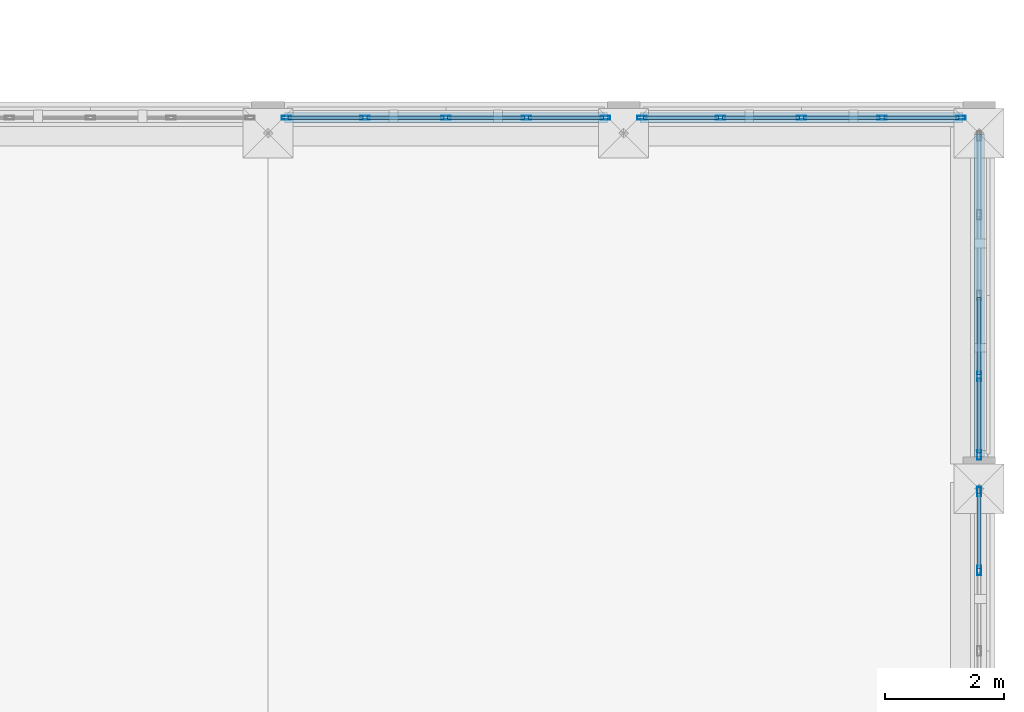
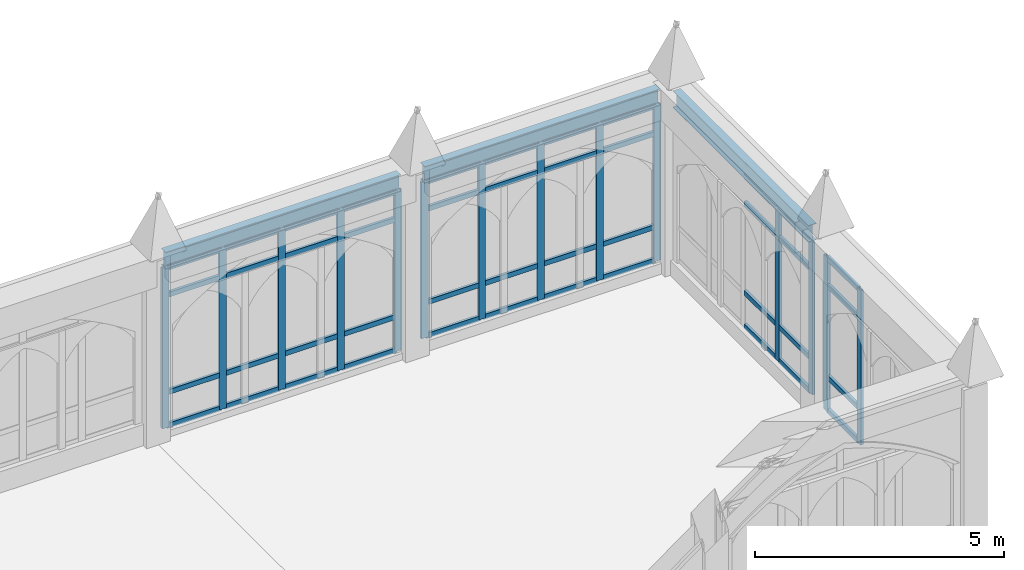
# One storey, part 58 of 108: 58 members, 3 beams, 4 elements without a shape of their own.
"""IFC4 building model written with IfcOpenShell, lengths in metres."""

from ifc_helpers import new_model, si_unit, direction, frame, origin, origin_2d, place, context, subcontext, project, spatial, hollow_rectangle, i_section, extrude, material, layer, layer_set, material_profile, profile_set, type_object, element, aggregate, save


model = new_model("IFC4")

# Units and contexts
model_context = context("Model", 3, precision=1e-05, world=origin(), true_north=direction((0.0, 1.0)))
body_context = subcontext(model_context, "Body", "Model", "MODEL_VIEW")
ifc_project = project(units=[si_unit("LENGTHUNIT", "METRE"), si_unit("AREAUNIT", "SQUARE_METRE"), si_unit("VOLUMEUNIT", "CUBIC_METRE"), si_unit("PLANEANGLEUNIT", "RADIAN"), si_unit("MASSUNIT", "GRAM", prefix="KILO")], contexts=[model_context])

# Site, building, storey
site_placement = place(None, origin())
site = spatial("IfcSite", under=ifc_project, at=site_placement, CompositionType="ELEMENT")
building_placement = place(site_placement, origin())
building = spatial("IfcBuilding", under=site, at=building_placement, Name="Cumevento Cable Car Station", CompositionType="ELEMENT")
storey_placement = place(building_placement, frame((0.0, 0.0, 13.5)))
storey = spatial("IfcBuildingStorey", under=building, at=storey_placement, Name="L04", CompositionType="ELEMENT", Elevation=13.5)

# Curtain wall, members
ifc_material_1 = material(Name="Anodised Bronze Aluminium AW-6063-T6", Category="aluminium")
ifc_layer_1 = layer(ifc_material_1, 0.2080078125)
ifc_layer_set_1 = layer_set([ifc_layer_1], Name="Anodised Bronze Aluminium AW-6063-T6")
curtain_wall_type_1 = type_object("IfcCurtainWallType", Name="Lancet Curtain Wall CW-09 1370", PredefinedType="NOTDEFINED", material=ifc_layer_set_1)
curtain_wall_1_placement = place(storey_placement, origin())
curtain_wall_1 = element("IfcCurtainWall", 1, at=curtain_wall_1_placement, inside=storey, type_object=curtain_wall_type_1, Name="Lancet Curtain Wall CW-09 L04 #184", PredefinedType="NOTDEFINED")
ifc_material_2 = material(Name="Anodised Bronze Aluminium AW-6063-T6", Category="aluminium")
ifc_material_profile_1 = material_profile(ifc_material_2, hollow_rectangle(XDim=0.06494140625, YDim=0.159912109375, WallThickness=0.00390625, at=origin_2d()), Name="ALUM65x160x4")
ifc_profile_set_1 = profile_set([ifc_material_profile_1], Name="Anodised Bronze Aluminium AW-6063-T6")
member_type_1 = type_object("IfcMemberType", Name="Curtain Mullion CWM-01 ALUM65x160x4", PredefinedType="MULLION", material=ifc_profile_set_1)
member_1_placement = place(storey_placement, frame((154.3076171875, 45.0, 0.159912109375), z_axis=(0.0, 0.0, 1.0), x_axis=(0.0, 1.0, 0.0)))
member_1 = element("IfcMember", 2, at=member_1_placement, type_object=member_type_1, Name="CW-09 mullion 1", PredefinedType="MULLION", context=body_context, shape_type="SweptSolid", body=[
    extrude(hollow_rectangle(XDim=0.06494140625, YDim=0.159912109375, WallThickness=0.00390625, at=origin_2d()), origin(), (0.0, 0.0, 1.0), 3.93310546875),
])
member_2_placement = place(storey_placement, frame((155.637451171875, 45.0, 0.159912109375), z_axis=(0.0, 0.0, 1.0), x_axis=(0.0, 1.0, 0.0)))
member_2 = element("IfcMember", 3, at=member_2_placement, type_object=member_type_1, Name="CW-09 mullion 2", PredefinedType="MULLION", context=body_context, shape_type="SweptSolid", body=[
    extrude(hollow_rectangle(XDim=0.06494140625, YDim=0.159912109375, WallThickness=0.00390625, at=origin_2d()), origin(), (0.0, 0.0, 1.0), 3.93310546875),
])
member_3_placement = place(storey_placement, frame((157.0, 45.0, 0.159912109375), z_axis=(0.0, 0.0, 1.0), x_axis=(0.0, 1.0, 0.0)))
member_3 = element("IfcMember", 4, at=member_3_placement, type_object=member_type_1, Name="CW-09 mullion 3", PredefinedType="MULLION", context=body_context, shape_type="SweptSolid", body=[
    extrude(hollow_rectangle(XDim=0.06494140625, YDim=0.159912109375, WallThickness=0.00390625, at=origin_2d()), origin(), (0.0, 0.0, 1.0), 3.93310546875),
])
member_4_placement = place(storey_placement, frame((158.362548828125, 45.0, 0.159912109375), z_axis=(0.0, 0.0, 1.0), x_axis=(0.0, 1.0, 0.0)))
member_4 = element("IfcMember", 5, at=member_4_placement, type_object=member_type_1, Name="CW-09 mullion 4", PredefinedType="MULLION", context=body_context, shape_type="SweptSolid", body=[
    extrude(hollow_rectangle(XDim=0.06494140625, YDim=0.159912109375, WallThickness=0.00390625, at=origin_2d()), origin(), (0.0, 0.0, 1.0), 3.93310546875),
])
member_5_placement = place(storey_placement, frame((159.6923828125, 45.0, 0.159912109375), z_axis=(0.0, 0.0, 1.0), x_axis=(0.0, 1.0, 0.0)))
member_5 = element("IfcMember", 6, at=member_5_placement, type_object=member_type_1, Name="CW-09 mullion 5", PredefinedType="MULLION", context=body_context, shape_type="SweptSolid", body=[
    extrude(hollow_rectangle(XDim=0.06494140625, YDim=0.159912109375, WallThickness=0.00390625, at=origin_2d()), origin(), (0.0, 0.0, 1.0), 3.93310546875),
])

ifc_material_3 = material(Name="Anodised Bronze Aluminium AW-6063-T6", Category="aluminium")
ifc_layer_2 = layer(ifc_material_3, 0.219970703125)
ifc_layer_set_2 = layer_set([ifc_layer_2], Name="Anodised Bronze Aluminium AW-6063-T6")
curtain_wall_type_2 = type_object("IfcCurtainWallType", Name="Lancet Curtain Wall CW-11 1450", PredefinedType="NOTDEFINED", material=ifc_layer_set_2)
curtain_wall_2_placement = place(storey_placement, origin())
curtain_wall_2 = element("IfcCurtainWall", 7, at=curtain_wall_2_placement, inside=storey, type_object=curtain_wall_type_2, Name="Lancet Curtain Wall CW-11 L04 #186", PredefinedType="NOTDEFINED")
member_6_placement = place(storey_placement, frame((160.3076171875, 45.0, 0.260009765625), z_axis=(0.0, 0.0, 1.0), x_axis=(0.0, 1.0, 0.0)))
member_6 = element("IfcMember", 8, at=member_6_placement, type_object=member_type_1, Name="CW-11 mullion 1", PredefinedType="MULLION", context=body_context, shape_type="SweptSolid", body=[
    extrude(hollow_rectangle(XDim=0.06494140625, YDim=0.159912109375, WallThickness=0.00390625, at=origin_2d()), origin(), (0.0, 0.0, 1.0), 3.8330078125),
])
member_7_placement = place(storey_placement, frame((161.637451171875, 45.0, 0.260009765625), z_axis=(0.0, 0.0, 1.0), x_axis=(0.0, 1.0, 0.0)))
member_7 = element("IfcMember", 9, at=member_7_placement, type_object=member_type_1, Name="CW-11 mullion 2", PredefinedType="MULLION", context=body_context, shape_type="SweptSolid", body=[
    extrude(hollow_rectangle(XDim=0.06494140625, YDim=0.159912109375, WallThickness=0.00390625, at=origin_2d()), origin(), (0.0, 0.0, 1.0), 3.8330078125),
])
member_8_placement = place(storey_placement, frame((163.0, 45.0, 0.260009765625), z_axis=(0.0, 0.0, 1.0), x_axis=(0.0, 1.0, 0.0)))
member_8 = element("IfcMember", 10, at=member_8_placement, type_object=member_type_1, Name="CW-11 mullion 3", PredefinedType="MULLION", context=body_context, shape_type="SweptSolid", body=[
    extrude(hollow_rectangle(XDim=0.06494140625, YDim=0.159912109375, WallThickness=0.00390625, at=origin_2d()), origin(), (0.0, 0.0, 1.0), 3.8330078125),
])
member_9_placement = place(storey_placement, frame((164.362548828125, 45.0, 0.260009765625), z_axis=(0.0, 0.0, 1.0), x_axis=(0.0, 1.0, 0.0)))
member_9 = element("IfcMember", 11, at=member_9_placement, type_object=member_type_1, Name="CW-11 mullion 4", PredefinedType="MULLION", context=body_context, shape_type="SweptSolid", body=[
    extrude(hollow_rectangle(XDim=0.06494140625, YDim=0.159912109375, WallThickness=0.00390625, at=origin_2d()), origin(), (0.0, 0.0, 1.0), 3.8330078125),
])
member_10_placement = place(storey_placement, frame((165.6923828125, 45.0, 0.260009765625), z_axis=(0.0, 0.0, 1.0), x_axis=(0.0, 1.0, 0.0)))
member_10 = element("IfcMember", 12, at=member_10_placement, type_object=member_type_1, Name="CW-11 mullion 5", PredefinedType="MULLION", context=body_context, shape_type="SweptSolid", body=[
    extrude(hollow_rectangle(XDim=0.06494140625, YDim=0.159912109375, WallThickness=0.00390625, at=origin_2d()), origin(), (0.0, 0.0, 1.0), 3.8330078125),
])

ifc_material_4 = material(Name="Anodised Bronze Aluminium AW-6063-T6", Category="aluminium")
ifc_layer_3 = layer(ifc_material_4, 0.22607421875)
ifc_layer_set_3 = layer_set([ifc_layer_3], Name="Anodised Bronze Aluminium AW-6063-T6")
curtain_wall_type_3 = type_object("IfcCurtainWallType", Name="Lancet Curtain Wall CW-12 1490", PredefinedType="NOTDEFINED", material=ifc_layer_set_3)
curtain_wall_3_placement = place(storey_placement, origin())
curtain_wall_3 = element("IfcCurtainWall", 13, at=curtain_wall_3_placement, inside=storey, type_object=curtain_wall_type_3, Name="Lancet Curtain Wall CW-12 L04 #187", PredefinedType="NOTDEFINED")
member_11_placement = place(storey_placement, frame((166.0, 38.6923828125, 0.31005859375), z_axis=(0.0, 0.0, 1.0), x_axis=(1.0, 0.0, 0.0)))
member_11 = element("IfcMember", 14, at=member_11_placement, type_object=member_type_1, Name="CW-12 mullion 1", PredefinedType="MULLION", context=body_context, shape_type="SweptSolid", body=[
    extrude(hollow_rectangle(XDim=0.06494140625, YDim=0.159912109375, WallThickness=0.00390625, at=origin_2d()), origin(), (0.0, 0.0, 1.0), 3.782958984375),
])
member_12_placement = place(storey_placement, frame((166.0, 37.362548828125, 0.31005859375), z_axis=(0.0, 0.0, 1.0), x_axis=(1.0, 0.0, 0.0)))
member_12 = element("IfcMember", 15, at=member_12_placement, type_object=member_type_1, Name="CW-12 mullion 2", PredefinedType="MULLION", context=body_context, shape_type="SweptSolid", body=[
    extrude(hollow_rectangle(XDim=0.06494140625, YDim=0.159912109375, WallThickness=0.00390625, at=origin_2d()), origin(), (0.0, 0.0, 1.0), 3.782958984375),
])

ifc_material_5 = material(Name="Anodised Bronze Aluminium AW-6063-T6", Category="aluminium")
ifc_layer_4 = layer(ifc_material_5, 0.23193359375)
ifc_layer_set_4 = layer_set([ifc_layer_4], Name="Anodised Bronze Aluminium AW-6063-T6")
curtain_wall_type_4 = type_object("IfcCurtainWallType", Name="Lancet Curtain Wall CW-13 1530", PredefinedType="NOTDEFINED", material=ifc_layer_set_4)
curtain_wall_4_placement = place(storey_placement, origin())
curtain_wall_4 = element("IfcCurtainWall", 16, at=curtain_wall_4_placement, inside=storey, type_object=curtain_wall_type_4, Name="Lancet Curtain Wall CW-13 L04 #188", PredefinedType="NOTDEFINED")
member_13_placement = place(storey_placement, frame((166.0, 40.637451171875, 0.360107421875), z_axis=(0.0, 0.0, 1.0), x_axis=(1.0, 0.0, 0.0)))
member_13 = element("IfcMember", 17, at=member_13_placement, type_object=member_type_1, Name="CW-13 mullion 4", PredefinedType="MULLION", context=body_context, shape_type="SweptSolid", body=[
    extrude(hollow_rectangle(XDim=0.06494140625, YDim=0.159912109375, WallThickness=0.00390625, at=origin_2d()), origin(), (0.0, 0.0, 1.0), 3.73291015625),
])
member_14_placement = place(storey_placement, frame((166.0, 39.3076171875, 0.360107421875), z_axis=(0.0, 0.0, 1.0), x_axis=(1.0, 0.0, 0.0)))
member_14 = element("IfcMember", 18, at=member_14_placement, type_object=member_type_1, Name="CW-13 mullion 5", PredefinedType="MULLION", context=body_context, shape_type="SweptSolid", body=[
    extrude(hollow_rectangle(XDim=0.06494140625, YDim=0.159912109375, WallThickness=0.00390625, at=origin_2d()), origin(), (0.0, 0.0, 1.0), 3.73291015625),
])

# Member
ifc_material_6 = material(Name="Anodised Bronze Aluminium AW-6063-T6", Category="aluminium")
ifc_material_profile_2 = material_profile(ifc_material_6, hollow_rectangle(XDim=0.06494140625, YDim=0.1201171875, WallThickness=0.00390625, at=origin_2d()), Name="ALUT65x120x4")
ifc_profile_set_2 = profile_set([ifc_material_profile_2], Name="Anodised Bronze Aluminium AW-6063-T6")
member_type_2 = type_object("IfcMemberType", Name="Curtain Transom CWT-01 ALUT65x120x4", PredefinedType="USERDEFINED", material=ifc_profile_set_2)
member_15_placement = place(storey_placement, frame((154.340087890625, 45.0, 0.1923828125), z_axis=(1.0, 0.0, 0.0), x_axis=(0.0, 1.0, 0.0)))
member_15 = element("IfcMember", 19, at=member_15_placement, type_object=member_type_2, Name="CW-09 transom 1.1", ObjectType="TRANSOM", PredefinedType="USERDEFINED", context=body_context, shape_type="SweptSolid", body=[
    extrude(hollow_rectangle(XDim=0.06494140625, YDim=0.1201171875, WallThickness=0.00390625, at=origin_2d()), origin(), (0.0, 0.0, 1.0), 1.264892578125),
])

member_16_placement = place(storey_placement, frame((154.340087890625, 45.0, 1.010009765625), z_axis=(1.0, 0.0, 0.0), x_axis=(0.0, 1.0, 0.0)))
member_16 = element("IfcMember", 20, at=member_16_placement, type_object=member_type_2, Name="CW-09 transom 1.2", ObjectType="TRANSOM", PredefinedType="USERDEFINED", context=body_context, shape_type="SweptSolid", body=[
    extrude(hollow_rectangle(XDim=0.06494140625, YDim=0.1201171875, WallThickness=0.00390625, at=origin_2d()), origin(), (0.0, 0.0, 1.0), 1.264892578125),
])

member_17_placement = place(storey_placement, frame((154.340087890625, 45.0, 3.39306640625), z_axis=(1.0, 0.0, 0.0), x_axis=(0.0, 1.0, 0.0)))
member_17 = element("IfcMember", 21, at=member_17_placement, type_object=member_type_2, Name="CW-09 transom 1.3", ObjectType="TRANSOM", PredefinedType="USERDEFINED", context=body_context, shape_type="SweptSolid", body=[
    extrude(hollow_rectangle(XDim=0.06494140625, YDim=0.1201171875, WallThickness=0.00390625, at=origin_2d()), origin(), (0.0, 0.0, 1.0), 1.264892578125),
])

member_18_placement = place(storey_placement, frame((154.340087890625, 45.0, 4.060546875), z_axis=(1.0, 0.0, 0.0), x_axis=(0.0, 1.0, 0.0)))
member_18 = element("IfcMember", 22, at=member_18_placement, type_object=member_type_2, Name="CW-09 transom 1.4", ObjectType="TRANSOM", PredefinedType="USERDEFINED", context=body_context, shape_type="SweptSolid", body=[
    extrude(hollow_rectangle(XDim=0.06494140625, YDim=0.1201171875, WallThickness=0.00390625, at=origin_2d()), origin(), (0.0, 0.0, 1.0), 1.264892578125),
])

member_19_placement = place(storey_placement, frame((155.669921875, 45.0, 0.1923828125), z_axis=(1.0, 0.0, 0.0), x_axis=(0.0, 1.0, 0.0)))
member_19 = element("IfcMember", 23, at=member_19_placement, type_object=member_type_2, Name="CW-09 transom 2.1", ObjectType="TRANSOM", PredefinedType="USERDEFINED", context=body_context, shape_type="SweptSolid", body=[
    extrude(hollow_rectangle(XDim=0.06494140625, YDim=0.1201171875, WallThickness=0.00390625, at=origin_2d()), origin(), (0.0, 0.0, 1.0), 1.297607421875),
])

member_20_placement = place(storey_placement, frame((155.669921875, 45.0, 1.010009765625), z_axis=(1.0, 0.0, 0.0), x_axis=(0.0, 1.0, 0.0)))
member_20 = element("IfcMember", 24, at=member_20_placement, type_object=member_type_2, Name="CW-09 transom 2.2", ObjectType="TRANSOM", PredefinedType="USERDEFINED", context=body_context, shape_type="SweptSolid", body=[
    extrude(hollow_rectangle(XDim=0.06494140625, YDim=0.1201171875, WallThickness=0.00390625, at=origin_2d()), origin(), (0.0, 0.0, 1.0), 1.297607421875),
])

member_21_placement = place(storey_placement, frame((155.669921875, 45.0, 3.39306640625), z_axis=(1.0, 0.0, 0.0), x_axis=(0.0, 1.0, 0.0)))
member_21 = element("IfcMember", 25, at=member_21_placement, type_object=member_type_2, Name="CW-09 transom 2.3", ObjectType="TRANSOM", PredefinedType="USERDEFINED", context=body_context, shape_type="SweptSolid", body=[
    extrude(hollow_rectangle(XDim=0.06494140625, YDim=0.1201171875, WallThickness=0.00390625, at=origin_2d()), origin(), (0.0, 0.0, 1.0), 1.297607421875),
])

member_22_placement = place(storey_placement, frame((155.669921875, 45.0, 4.060546875), z_axis=(1.0, 0.0, 0.0), x_axis=(0.0, 1.0, 0.0)))
member_22 = element("IfcMember", 26, at=member_22_placement, type_object=member_type_2, Name="CW-09 transom 2.4", ObjectType="TRANSOM", PredefinedType="USERDEFINED", context=body_context, shape_type="SweptSolid", body=[
    extrude(hollow_rectangle(XDim=0.06494140625, YDim=0.1201171875, WallThickness=0.00390625, at=origin_2d()), origin(), (0.0, 0.0, 1.0), 1.297607421875),
])

member_23_placement = place(storey_placement, frame((157.032470703125, 45.0, 0.1923828125), z_axis=(1.0, 0.0, 0.0), x_axis=(0.0, 1.0, 0.0)))
member_23 = element("IfcMember", 27, at=member_23_placement, type_object=member_type_2, Name="CW-09 transom 3.1", ObjectType="TRANSOM", PredefinedType="USERDEFINED", context=body_context, shape_type="SweptSolid", body=[
    extrude(hollow_rectangle(XDim=0.06494140625, YDim=0.1201171875, WallThickness=0.00390625, at=origin_2d()), origin(), (0.0, 0.0, 1.0), 1.297607421875),
])

member_24_placement = place(storey_placement, frame((157.032470703125, 45.0, 1.010009765625), z_axis=(1.0, 0.0, 0.0), x_axis=(0.0, 1.0, 0.0)))
member_24 = element("IfcMember", 28, at=member_24_placement, type_object=member_type_2, Name="CW-09 transom 3.2", ObjectType="TRANSOM", PredefinedType="USERDEFINED", context=body_context, shape_type="SweptSolid", body=[
    extrude(hollow_rectangle(XDim=0.06494140625, YDim=0.1201171875, WallThickness=0.00390625, at=origin_2d()), origin(), (0.0, 0.0, 1.0), 1.297607421875),
])

member_25_placement = place(storey_placement, frame((157.032470703125, 45.0, 3.39306640625), z_axis=(1.0, 0.0, 0.0), x_axis=(0.0, 1.0, 0.0)))
member_25 = element("IfcMember", 29, at=member_25_placement, type_object=member_type_2, Name="CW-09 transom 3.3", ObjectType="TRANSOM", PredefinedType="USERDEFINED", context=body_context, shape_type="SweptSolid", body=[
    extrude(hollow_rectangle(XDim=0.06494140625, YDim=0.1201171875, WallThickness=0.00390625, at=origin_2d()), origin(), (0.0, 0.0, 1.0), 1.297607421875),
])

member_26_placement = place(storey_placement, frame((157.032470703125, 45.0, 4.060546875), z_axis=(1.0, 0.0, 0.0), x_axis=(0.0, 1.0, 0.0)))
member_26 = element("IfcMember", 30, at=member_26_placement, type_object=member_type_2, Name="CW-09 transom 3.4", ObjectType="TRANSOM", PredefinedType="USERDEFINED", context=body_context, shape_type="SweptSolid", body=[
    extrude(hollow_rectangle(XDim=0.06494140625, YDim=0.1201171875, WallThickness=0.00390625, at=origin_2d()), origin(), (0.0, 0.0, 1.0), 1.297607421875),
])

member_27_placement = place(storey_placement, frame((158.39501953125, 45.0, 0.1923828125), z_axis=(1.0, 0.0, 0.0), x_axis=(0.0, 1.0, 0.0)))
member_27 = element("IfcMember", 31, at=member_27_placement, type_object=member_type_2, Name="CW-09 transom 4.1", ObjectType="TRANSOM", PredefinedType="USERDEFINED", context=body_context, shape_type="SweptSolid", body=[
    extrude(hollow_rectangle(XDim=0.06494140625, YDim=0.1201171875, WallThickness=0.00390625, at=origin_2d()), origin(), (0.0, 0.0, 1.0), 1.264892578125),
])

member_28_placement = place(storey_placement, frame((158.39501953125, 45.0, 1.010009765625), z_axis=(1.0, 0.0, 0.0), x_axis=(0.0, 1.0, 0.0)))
member_28 = element("IfcMember", 32, at=member_28_placement, type_object=member_type_2, Name="CW-09 transom 4.2", ObjectType="TRANSOM", PredefinedType="USERDEFINED", context=body_context, shape_type="SweptSolid", body=[
    extrude(hollow_rectangle(XDim=0.06494140625, YDim=0.1201171875, WallThickness=0.00390625, at=origin_2d()), origin(), (0.0, 0.0, 1.0), 1.264892578125),
])

member_29_placement = place(storey_placement, frame((158.39501953125, 45.0, 3.39306640625), z_axis=(1.0, 0.0, 0.0), x_axis=(0.0, 1.0, 0.0)))
member_29 = element("IfcMember", 33, at=member_29_placement, type_object=member_type_2, Name="CW-09 transom 4.3", ObjectType="TRANSOM", PredefinedType="USERDEFINED", context=body_context, shape_type="SweptSolid", body=[
    extrude(hollow_rectangle(XDim=0.06494140625, YDim=0.1201171875, WallThickness=0.00390625, at=origin_2d()), origin(), (0.0, 0.0, 1.0), 1.264892578125),
])

member_30_placement = place(storey_placement, frame((158.39501953125, 45.0, 4.060546875), z_axis=(1.0, 0.0, 0.0), x_axis=(0.0, 1.0, 0.0)))
member_30 = element("IfcMember", 34, at=member_30_placement, type_object=member_type_2, Name="CW-09 transom 4.4", ObjectType="TRANSOM", PredefinedType="USERDEFINED", context=body_context, shape_type="SweptSolid", body=[
    extrude(hollow_rectangle(XDim=0.06494140625, YDim=0.1201171875, WallThickness=0.00390625, at=origin_2d()), origin(), (0.0, 0.0, 1.0), 1.264892578125),
])

aggregate(curtain_wall_1, [member_1, member_2, member_3, member_4, member_5, member_15, member_16, member_17, member_18, member_19, member_20, member_21, member_22, member_23, member_24, member_25, member_26, member_27, member_28, member_29, member_30])

member_31_placement = place(storey_placement, frame((160.340087890625, 45.0, 0.29248046875), z_axis=(1.0, 0.0, 0.0), x_axis=(0.0, 1.0, 0.0)))
member_31 = element("IfcMember", 35, at=member_31_placement, type_object=member_type_2, Name="CW-11 transom 1.1", ObjectType="TRANSOM", PredefinedType="USERDEFINED", context=body_context, shape_type="SweptSolid", body=[
    extrude(hollow_rectangle(XDim=0.06494140625, YDim=0.1201171875, WallThickness=0.00390625, at=origin_2d()), origin(), (0.0, 0.0, 1.0), 1.264892578125),
])

member_32_placement = place(storey_placement, frame((160.340087890625, 45.0, 1.110107421875), z_axis=(1.0, 0.0, 0.0), x_axis=(0.0, 1.0, 0.0)))
member_32 = element("IfcMember", 36, at=member_32_placement, type_object=member_type_2, Name="CW-11 transom 1.2", ObjectType="TRANSOM", PredefinedType="USERDEFINED", context=body_context, shape_type="SweptSolid", body=[
    extrude(hollow_rectangle(XDim=0.06494140625, YDim=0.1201171875, WallThickness=0.00390625, at=origin_2d()), origin(), (0.0, 0.0, 1.0), 1.264892578125),
])

member_33_placement = place(storey_placement, frame((160.340087890625, 45.0, 3.39306640625), z_axis=(1.0, 0.0, 0.0), x_axis=(0.0, 1.0, 0.0)))
member_33 = element("IfcMember", 37, at=member_33_placement, type_object=member_type_2, Name="CW-11 transom 1.3", ObjectType="TRANSOM", PredefinedType="USERDEFINED", context=body_context, shape_type="SweptSolid", body=[
    extrude(hollow_rectangle(XDim=0.06494140625, YDim=0.1201171875, WallThickness=0.00390625, at=origin_2d()), origin(), (0.0, 0.0, 1.0), 1.264892578125),
])

member_34_placement = place(storey_placement, frame((160.340087890625, 45.0, 4.060546875), z_axis=(1.0, 0.0, 0.0), x_axis=(0.0, 1.0, 0.0)))
member_34 = element("IfcMember", 38, at=member_34_placement, type_object=member_type_2, Name="CW-11 transom 1.4", ObjectType="TRANSOM", PredefinedType="USERDEFINED", context=body_context, shape_type="SweptSolid", body=[
    extrude(hollow_rectangle(XDim=0.06494140625, YDim=0.1201171875, WallThickness=0.00390625, at=origin_2d()), origin(), (0.0, 0.0, 1.0), 1.264892578125),
])

member_35_placement = place(storey_placement, frame((161.669921875, 45.0, 0.29248046875), z_axis=(1.0, 0.0, 0.0), x_axis=(0.0, 1.0, 0.0)))
member_35 = element("IfcMember", 39, at=member_35_placement, type_object=member_type_2, Name="CW-11 transom 2.1", ObjectType="TRANSOM", PredefinedType="USERDEFINED", context=body_context, shape_type="SweptSolid", body=[
    extrude(hollow_rectangle(XDim=0.06494140625, YDim=0.1201171875, WallThickness=0.00390625, at=origin_2d()), origin(), (0.0, 0.0, 1.0), 1.297607421875),
])

member_36_placement = place(storey_placement, frame((161.669921875, 45.0, 1.110107421875), z_axis=(1.0, 0.0, 0.0), x_axis=(0.0, 1.0, 0.0)))
member_36 = element("IfcMember", 40, at=member_36_placement, type_object=member_type_2, Name="CW-11 transom 2.2", ObjectType="TRANSOM", PredefinedType="USERDEFINED", context=body_context, shape_type="SweptSolid", body=[
    extrude(hollow_rectangle(XDim=0.06494140625, YDim=0.1201171875, WallThickness=0.00390625, at=origin_2d()), origin(), (0.0, 0.0, 1.0), 1.297607421875),
])

member_37_placement = place(storey_placement, frame((161.669921875, 45.0, 3.39306640625), z_axis=(1.0, 0.0, 0.0), x_axis=(0.0, 1.0, 0.0)))
member_37 = element("IfcMember", 41, at=member_37_placement, type_object=member_type_2, Name="CW-11 transom 2.3", ObjectType="TRANSOM", PredefinedType="USERDEFINED", context=body_context, shape_type="SweptSolid", body=[
    extrude(hollow_rectangle(XDim=0.06494140625, YDim=0.1201171875, WallThickness=0.00390625, at=origin_2d()), origin(), (0.0, 0.0, 1.0), 1.297607421875),
])

member_38_placement = place(storey_placement, frame((161.669921875, 45.0, 4.060546875), z_axis=(1.0, 0.0, 0.0), x_axis=(0.0, 1.0, 0.0)))
member_38 = element("IfcMember", 42, at=member_38_placement, type_object=member_type_2, Name="CW-11 transom 2.4", ObjectType="TRANSOM", PredefinedType="USERDEFINED", context=body_context, shape_type="SweptSolid", body=[
    extrude(hollow_rectangle(XDim=0.06494140625, YDim=0.1201171875, WallThickness=0.00390625, at=origin_2d()), origin(), (0.0, 0.0, 1.0), 1.297607421875),
])

member_39_placement = place(storey_placement, frame((163.032470703125, 45.0, 0.29248046875), z_axis=(1.0, 0.0, 0.0), x_axis=(0.0, 1.0, 0.0)))
member_39 = element("IfcMember", 43, at=member_39_placement, type_object=member_type_2, Name="CW-11 transom 3.1", ObjectType="TRANSOM", PredefinedType="USERDEFINED", context=body_context, shape_type="SweptSolid", body=[
    extrude(hollow_rectangle(XDim=0.06494140625, YDim=0.1201171875, WallThickness=0.00390625, at=origin_2d()), origin(), (0.0, 0.0, 1.0), 1.297607421875),
])

member_40_placement = place(storey_placement, frame((163.032470703125, 45.0, 1.110107421875), z_axis=(1.0, 0.0, 0.0), x_axis=(0.0, 1.0, 0.0)))
member_40 = element("IfcMember", 44, at=member_40_placement, type_object=member_type_2, Name="CW-11 transom 3.2", ObjectType="TRANSOM", PredefinedType="USERDEFINED", context=body_context, shape_type="SweptSolid", body=[
    extrude(hollow_rectangle(XDim=0.06494140625, YDim=0.1201171875, WallThickness=0.00390625, at=origin_2d()), origin(), (0.0, 0.0, 1.0), 1.297607421875),
])

member_41_placement = place(storey_placement, frame((163.032470703125, 45.0, 3.39306640625), z_axis=(1.0, 0.0, 0.0), x_axis=(0.0, 1.0, 0.0)))
member_41 = element("IfcMember", 45, at=member_41_placement, type_object=member_type_2, Name="CW-11 transom 3.3", ObjectType="TRANSOM", PredefinedType="USERDEFINED", context=body_context, shape_type="SweptSolid", body=[
    extrude(hollow_rectangle(XDim=0.06494140625, YDim=0.1201171875, WallThickness=0.00390625, at=origin_2d()), origin(), (0.0, 0.0, 1.0), 1.297607421875),
])

member_42_placement = place(storey_placement, frame((163.032470703125, 45.0, 4.060546875), z_axis=(1.0, 0.0, 0.0), x_axis=(0.0, 1.0, 0.0)))
member_42 = element("IfcMember", 46, at=member_42_placement, type_object=member_type_2, Name="CW-11 transom 3.4", ObjectType="TRANSOM", PredefinedType="USERDEFINED", context=body_context, shape_type="SweptSolid", body=[
    extrude(hollow_rectangle(XDim=0.06494140625, YDim=0.1201171875, WallThickness=0.00390625, at=origin_2d()), origin(), (0.0, 0.0, 1.0), 1.297607421875),
])

member_43_placement = place(storey_placement, frame((164.39501953125, 45.0, 0.29248046875), z_axis=(1.0, 0.0, 0.0), x_axis=(0.0, 1.0, 0.0)))
member_43 = element("IfcMember", 47, at=member_43_placement, type_object=member_type_2, Name="CW-11 transom 4.1", ObjectType="TRANSOM", PredefinedType="USERDEFINED", context=body_context, shape_type="SweptSolid", body=[
    extrude(hollow_rectangle(XDim=0.06494140625, YDim=0.1201171875, WallThickness=0.00390625, at=origin_2d()), origin(), (0.0, 0.0, 1.0), 1.264892578125),
])

member_44_placement = place(storey_placement, frame((164.39501953125, 45.0, 1.110107421875), z_axis=(1.0, 0.0, 0.0), x_axis=(0.0, 1.0, 0.0)))
member_44 = element("IfcMember", 48, at=member_44_placement, type_object=member_type_2, Name="CW-11 transom 4.2", ObjectType="TRANSOM", PredefinedType="USERDEFINED", context=body_context, shape_type="SweptSolid", body=[
    extrude(hollow_rectangle(XDim=0.06494140625, YDim=0.1201171875, WallThickness=0.00390625, at=origin_2d()), origin(), (0.0, 0.0, 1.0), 1.264892578125),
])

member_45_placement = place(storey_placement, frame((164.39501953125, 45.0, 3.39306640625), z_axis=(1.0, 0.0, 0.0), x_axis=(0.0, 1.0, 0.0)))
member_45 = element("IfcMember", 49, at=member_45_placement, type_object=member_type_2, Name="CW-11 transom 4.3", ObjectType="TRANSOM", PredefinedType="USERDEFINED", context=body_context, shape_type="SweptSolid", body=[
    extrude(hollow_rectangle(XDim=0.06494140625, YDim=0.1201171875, WallThickness=0.00390625, at=origin_2d()), origin(), (0.0, 0.0, 1.0), 1.264892578125),
])

member_46_placement = place(storey_placement, frame((164.39501953125, 45.0, 4.060546875), z_axis=(1.0, 0.0, 0.0), x_axis=(0.0, 1.0, 0.0)))
member_46 = element("IfcMember", 50, at=member_46_placement, type_object=member_type_2, Name="CW-11 transom 4.4", ObjectType="TRANSOM", PredefinedType="USERDEFINED", context=body_context, shape_type="SweptSolid", body=[
    extrude(hollow_rectangle(XDim=0.06494140625, YDim=0.1201171875, WallThickness=0.00390625, at=origin_2d()), origin(), (0.0, 0.0, 1.0), 1.264892578125),
])

aggregate(curtain_wall_2, [member_6, member_7, member_8, member_9, member_10, member_31, member_32, member_33, member_34, member_35, member_36, member_37, member_38, member_39, member_40, member_41, member_42, member_43, member_44, member_45, member_46])

member_47_placement = place(storey_placement, frame((166.0, 38.659912109375, 0.342529296875), z_axis=(0.0, -1.0, 0.0), x_axis=(1.0, 0.0, 0.0)))
member_47 = element("IfcMember", 51, at=member_47_placement, type_object=member_type_2, Name="CW-12 transom 1.1", ObjectType="TRANSOM", PredefinedType="USERDEFINED", context=body_context, shape_type="SweptSolid", body=[
    extrude(hollow_rectangle(XDim=0.06494140625, YDim=0.1201171875, WallThickness=0.00390625, at=origin_2d()), origin(), (0.0, 0.0, 1.0), 1.264892578125),
])

member_48_placement = place(storey_placement, frame((166.0, 38.659912109375, 1.159912109375), z_axis=(0.0, -1.0, 0.0), x_axis=(1.0, 0.0, 0.0)))
member_48 = element("IfcMember", 52, at=member_48_placement, type_object=member_type_2, Name="CW-12 transom 1.2", ObjectType="TRANSOM", PredefinedType="USERDEFINED", context=body_context, shape_type="SweptSolid", body=[
    extrude(hollow_rectangle(XDim=0.06494140625, YDim=0.1201171875, WallThickness=0.00390625, at=origin_2d()), origin(), (0.0, 0.0, 1.0), 1.264892578125),
])

member_49_placement = place(storey_placement, frame((166.0, 38.659912109375, 3.39306640625), z_axis=(0.0, -1.0, 0.0), x_axis=(1.0, 0.0, 0.0)))
member_49 = element("IfcMember", 53, at=member_49_placement, type_object=member_type_2, Name="CW-12 transom 1.3", ObjectType="TRANSOM", PredefinedType="USERDEFINED", context=body_context, shape_type="SweptSolid", body=[
    extrude(hollow_rectangle(XDim=0.06494140625, YDim=0.1201171875, WallThickness=0.00390625, at=origin_2d()), origin(), (0.0, 0.0, 1.0), 1.264892578125),
])

member_50_placement = place(storey_placement, frame((166.0, 38.659912109375, 4.060546875), z_axis=(0.0, -1.0, 0.0), x_axis=(1.0, 0.0, 0.0)))
member_50 = element("IfcMember", 54, at=member_50_placement, type_object=member_type_2, Name="CW-12 transom 1.4", ObjectType="TRANSOM", PredefinedType="USERDEFINED", context=body_context, shape_type="SweptSolid", body=[
    extrude(hollow_rectangle(XDim=0.06494140625, YDim=0.1201171875, WallThickness=0.00390625, at=origin_2d()), origin(), (0.0, 0.0, 1.0), 1.264892578125),
])

aggregate(curtain_wall_3, [member_11, member_12, member_47, member_48, member_49, member_50])

member_51_placement = place(storey_placement, frame((166.0, 41.967529296875, 0.392578125), z_axis=(0.0, -1.0, 0.0), x_axis=(1.0, 0.0, 0.0)))
member_51 = element("IfcMember", 55, at=member_51_placement, type_object=member_type_2, Name="CW-13 transom 3.1", ObjectType="TRANSOM", PredefinedType="USERDEFINED", context=body_context, shape_type="SweptSolid", body=[
    extrude(hollow_rectangle(XDim=0.06494140625, YDim=0.1201171875, WallThickness=0.00390625, at=origin_2d()), origin(), (0.0, 0.0, 1.0), 1.297607421875),
])

member_52_placement = place(storey_placement, frame((166.0, 41.967529296875, 1.2099609375), z_axis=(0.0, -1.0, 0.0), x_axis=(1.0, 0.0, 0.0)))
member_52 = element("IfcMember", 56, at=member_52_placement, type_object=member_type_2, Name="CW-13 transom 3.2", ObjectType="TRANSOM", PredefinedType="USERDEFINED", context=body_context, shape_type="SweptSolid", body=[
    extrude(hollow_rectangle(XDim=0.06494140625, YDim=0.1201171875, WallThickness=0.00390625, at=origin_2d()), origin(), (0.0, 0.0, 1.0), 1.297607421875),
])

member_53_placement = place(storey_placement, frame((166.0, 41.967529296875, 3.39306640625), z_axis=(0.0, -1.0, 0.0), x_axis=(1.0, 0.0, 0.0)))
member_53 = element("IfcMember", 57, at=member_53_placement, type_object=member_type_2, Name="CW-13 transom 3.3", ObjectType="TRANSOM", PredefinedType="USERDEFINED", context=body_context, shape_type="SweptSolid", body=[
    extrude(hollow_rectangle(XDim=0.06494140625, YDim=0.1201171875, WallThickness=0.00390625, at=origin_2d()), origin(), (0.0, 0.0, 1.0), 1.297607421875),
])

member_54_placement = place(storey_placement, frame((166.0, 41.967529296875, 4.060546875), z_axis=(0.0, -1.0, 0.0), x_axis=(1.0, 0.0, 0.0)))
member_54 = element("IfcMember", 58, at=member_54_placement, type_object=member_type_2, Name="CW-13 transom 3.4", ObjectType="TRANSOM", PredefinedType="USERDEFINED", context=body_context, shape_type="SweptSolid", body=[
    extrude(hollow_rectangle(XDim=0.06494140625, YDim=0.1201171875, WallThickness=0.00390625, at=origin_2d()), origin(), (0.0, 0.0, 1.0), 1.297607421875),
])

member_55_placement = place(storey_placement, frame((166.0, 40.60498046875, 0.392578125), z_axis=(0.0, -1.0, 0.0), x_axis=(1.0, 0.0, 0.0)))
member_55 = element("IfcMember", 59, at=member_55_placement, type_object=member_type_2, Name="CW-13 transom 4.1", ObjectType="TRANSOM", PredefinedType="USERDEFINED", context=body_context, shape_type="SweptSolid", body=[
    extrude(hollow_rectangle(XDim=0.06494140625, YDim=0.1201171875, WallThickness=0.00390625, at=origin_2d()), origin(), (0.0, 0.0, 1.0), 1.264892578125),
])

member_56_placement = place(storey_placement, frame((166.0, 40.60498046875, 1.2099609375), z_axis=(0.0, -1.0, 0.0), x_axis=(1.0, 0.0, 0.0)))
member_56 = element("IfcMember", 60, at=member_56_placement, type_object=member_type_2, Name="CW-13 transom 4.2", ObjectType="TRANSOM", PredefinedType="USERDEFINED", context=body_context, shape_type="SweptSolid", body=[
    extrude(hollow_rectangle(XDim=0.06494140625, YDim=0.1201171875, WallThickness=0.00390625, at=origin_2d()), origin(), (0.0, 0.0, 1.0), 1.264892578125),
])

member_57_placement = place(storey_placement, frame((166.0, 40.60498046875, 3.39306640625), z_axis=(0.0, -1.0, 0.0), x_axis=(1.0, 0.0, 0.0)))
member_57 = element("IfcMember", 61, at=member_57_placement, type_object=member_type_2, Name="CW-13 transom 4.3", ObjectType="TRANSOM", PredefinedType="USERDEFINED", context=body_context, shape_type="SweptSolid", body=[
    extrude(hollow_rectangle(XDim=0.06494140625, YDim=0.1201171875, WallThickness=0.00390625, at=origin_2d()), origin(), (0.0, 0.0, 1.0), 1.264892578125),
])

member_58_placement = place(storey_placement, frame((166.0, 40.60498046875, 4.060546875), z_axis=(0.0, -1.0, 0.0), x_axis=(1.0, 0.0, 0.0)))
member_58 = element("IfcMember", 62, at=member_58_placement, type_object=member_type_2, Name="CW-13 transom 4.4", ObjectType="TRANSOM", PredefinedType="USERDEFINED", context=body_context, shape_type="SweptSolid", body=[
    extrude(hollow_rectangle(XDim=0.06494140625, YDim=0.1201171875, WallThickness=0.00390625, at=origin_2d()), origin(), (0.0, 0.0, 1.0), 1.264892578125),
])

aggregate(curtain_wall_4, [member_13, member_14, member_51, member_52, member_53, member_54, member_55, member_56, member_57, member_58])

# Beams
ifc_material_7 = material(Name="Steel ASTM A572 Grade 50", Category="steel")
ifc_material_profile_3 = material_profile(ifc_material_7, i_section(OverallWidth=0.177978515625, OverallDepth=0.406982421875, WebThickness=0.0078125, FlangeThickness=0.0126953125, at=origin_2d()), Name="W410x60.0")
ifc_profile_set_3 = profile_set([ifc_material_profile_3], Name="Steel ASTM A572 Grade 50")
beam_type = type_object("IfcBeamType", Name="Structural Spandrel SP-01 W410x60.0", PredefinedType="SPANDREL", material=ifc_profile_set_3)
for number, where, z_axis, x_axis, name in (
    (63, (154.27490234375, 45.0, 4.29638671875), (1.0, 0.0, 0.0), (0.0, 1.0, 0.0), "Beam SP-01 L04 #1478"),
    (64, (160.27490234375, 45.0, 4.29638671875), (1.0, 0.0, 0.0), (0.0, 1.0, 0.0), "Beam SP-01 L04 #1479"),
    (65, (166.0, 39.27490234375, 4.29638671875), (0.0, 1.0, 0.0), (-1.0, 0.0, 0.0), "Beam SP-01 L04 #1481"),
):
    element("IfcBeam", number, at=place(storey_placement, frame(where, z_axis=z_axis, x_axis=x_axis)), inside=storey, type_object=beam_type, Name=name, PredefinedType="SPANDREL", context=body_context, shape_type="SweptSolid", body=[
        extrude(i_section(OverallWidth=0.177978515625, OverallDepth=0.406982421875, WebThickness=0.0078125, FlangeThickness=0.0126953125, at=origin_2d()), origin(), (0.0, 0.0, 1.0), 5.4501953125),
    ])

save(model, "model.ifc")
